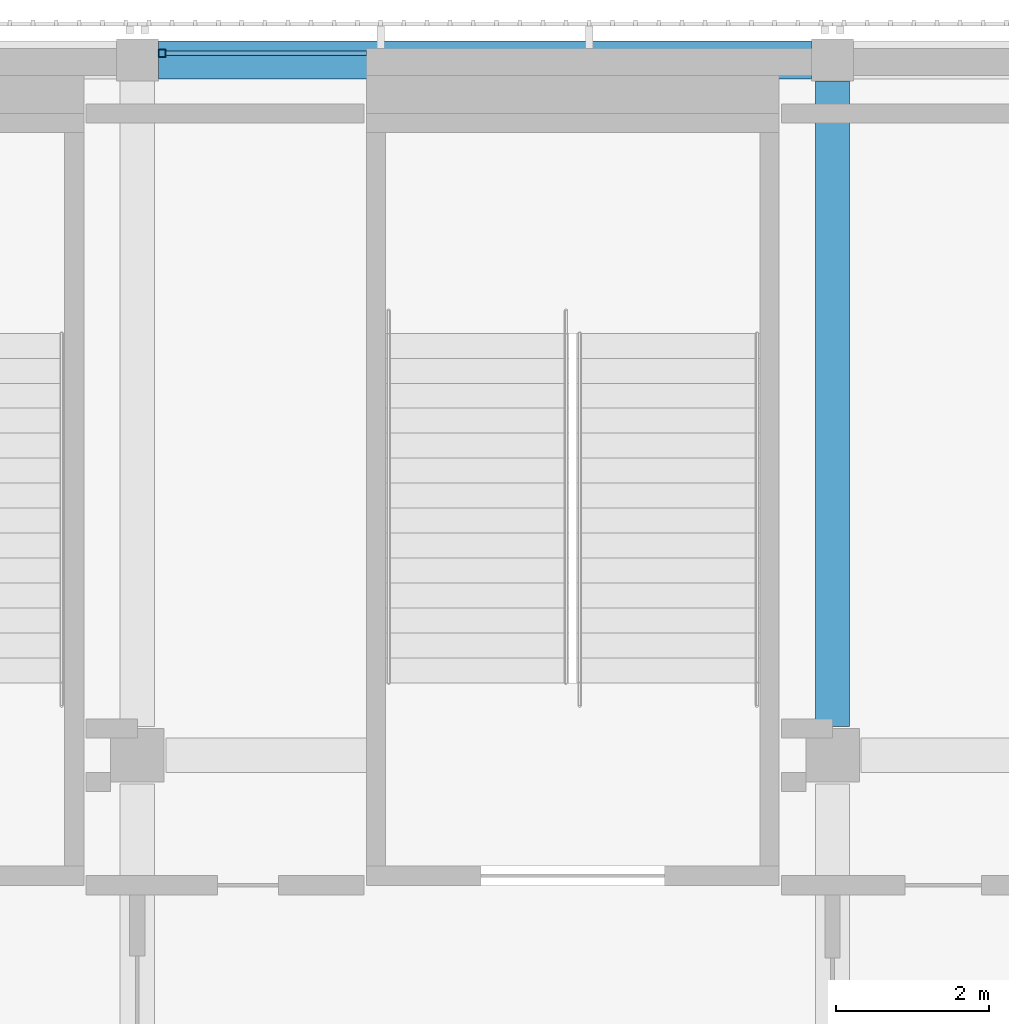
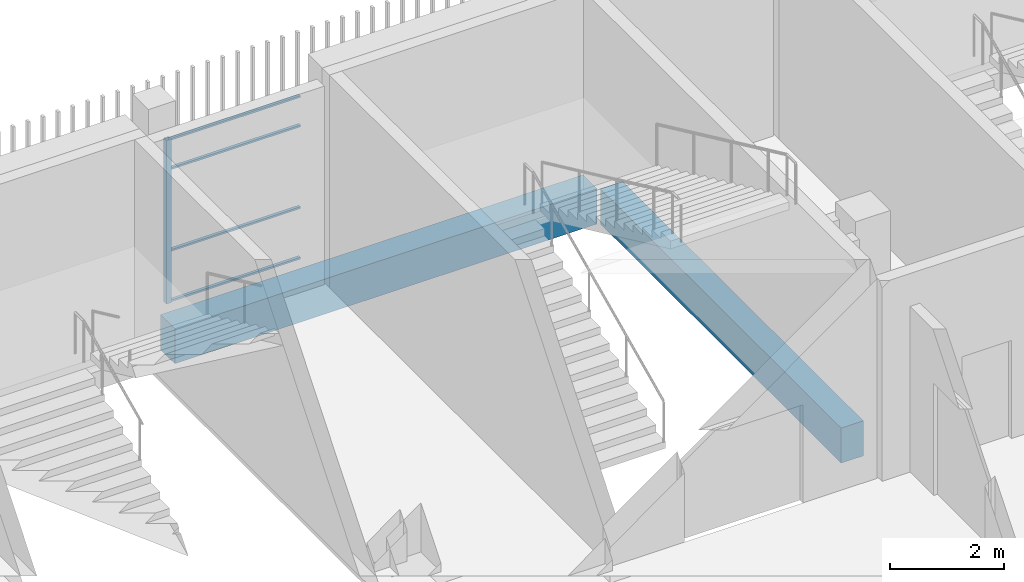
# One storey, part 60 of 126: 5 members, 2 beams, 1 element without a shape of its own.
"""IFC4 building model written with IfcOpenShell, lengths in metres."""

from ifc_helpers import new_model, si_unit, direction, frame, origin, origin_2d, place, context, subcontext, project, spatial, rectangle, hollow_rectangle, extrude, material, layer, layer_set, material_profile, profile_set, type_object, element, aggregate, save


model = new_model("IFC4")

# Units and contexts
model_context = context("Model", 3, precision=1e-05, world=origin(), true_north=direction((0.0, 1.0)))
body_context = subcontext(model_context, "Body", "Model", "MODEL_VIEW")
ifc_project = project(units=[si_unit("LENGTHUNIT", "METRE"), si_unit("AREAUNIT", "SQUARE_METRE"), si_unit("VOLUMEUNIT", "CUBIC_METRE"), si_unit("PLANEANGLEUNIT", "RADIAN"), si_unit("MASSUNIT", "GRAM", prefix="KILO")], contexts=[model_context])

# Site, building, storey
site_placement = place(None, origin())
site = spatial("IfcSite", under=ifc_project, at=site_placement, CompositionType="ELEMENT")
building_placement = place(site_placement, origin())
building = spatial("IfcBuilding", under=site, at=building_placement, Name="Shirokan Park Arena", CompositionType="ELEMENT")
storey_placement = place(building_placement, frame((0.0, 0.0, 6.3701171875)))
storey = spatial("IfcBuildingStorey", under=building, at=storey_placement, Name="L01", CompositionType="ELEMENT", Elevation=6.3701171875)

# Curtain wall, member
ifc_material_1 = material(Name="Steel and glass curtain wall", Category="steel")
ifc_layer = layer(ifc_material_1, 0.1201171875)
ifc_layer_set = layer_set([ifc_layer], Name="Steel and glass curtain wall 120 mm")
curtain_wall_type = type_object("IfcCurtainWallType", Name="Curtain wall corner block side bay 120", PredefinedType="NOTDEFINED", material=ifc_layer_set)
curtain_wall_placement = place(storey_placement, origin())
curtain_wall = element("IfcCurtainWall", 1, at=curtain_wall_placement, inside=storey, type_object=curtain_wall_type, Name="Curtain wall north bay 2 L01", PredefinedType="NOTDEFINED")
ifc_material_2 = material(Name="Steel S355", Category="steel")
ifc_material_profile_1 = material_profile(ifc_material_2, hollow_rectangle(XDim=0.10009765625, YDim=0.10009765625, WallThickness=0.006103515625, at=origin_2d()), Name="RHS 100x100x6")
ifc_profile_set_1 = profile_set([ifc_material_profile_1], Name="Steel S355")
member_type_1 = type_object("IfcMemberType", Name="Mullion RHS 100x100x6", PredefinedType="MULLION", material=ifc_profile_set_1)
member_1_placement = place(storey_placement, frame((127.72509765625, 109.2900390625, 0.0), z_axis=(0.0, 0.0, 1.0), x_axis=(0.0, -1.0, 0.0)))
member_1 = element("IfcMember", 2, at=member_1_placement, type_object=member_type_1, Name="CW3 mullion 2", PredefinedType="MULLION", context=body_context, shape_type="SweptSolid", body=[
    extrude(hollow_rectangle(XDim=0.10009765625, YDim=0.10009765625, WallThickness=0.006103515625, at=origin_2d()), origin(), (0.0, 0.0, 1.0), 3.5),
])

# Beams
ifc_material_3 = material(Name="Concrete C35", Category="concrete")
ifc_material_profile_2 = material_profile(ifc_material_3, rectangle(XDim=0.449951171875, YDim=0.75, at=origin_2d()), Name="450x750")
ifc_profile_set_2 = profile_set([ifc_material_profile_2], Name="Concrete C35")
beam_type_1 = type_object("IfcBeamType", Name="RC girder 450x750", PredefinedType="BEAM", material=ifc_profile_set_2)
beam_1_placement = place(storey_placement, frame((136.5, 100.47509765625, -0.72509765625), z_axis=(0.0, 1.0, 0.0), x_axis=(-1.0, 0.0, 0.0)))
element("IfcBeam", 3, at=beam_1_placement, inside=storey, type_object=beam_type_1, Name="Girder 16M-16N L01", PredefinedType="BEAM", context=body_context, shape_type="SweptSolid", body=[
    extrude(rectangle(XDim=0.449951171875, YDim=0.75, at=origin_2d()), origin(), (0.0, 0.0, 1.0), 8.44970703125),
])
ifc_material_profile_3 = material_profile(ifc_material_3, rectangle(XDim=0.5, YDim=0.75, at=origin_2d()), Name="500x750")
ifc_profile_set_3 = profile_set([ifc_material_profile_3], Name="Concrete C35")
beam_type_2 = type_object("IfcBeamType", Name="RC girder 500x750", PredefinedType="BEAM", material=ifc_profile_set_3)
beam_2_placement = place(storey_placement, frame((127.675048828125, 109.199951171875, -0.72509765625), z_axis=(1.0, 0.0, 0.0), x_axis=(0.0, 1.0, 0.0)))
element("IfcBeam", 4, at=beam_2_placement, inside=storey, type_object=beam_type_2, Name="Girder 15N-16N L01", PredefinedType="BEAM", context=body_context, shape_type="SweptSolid", body=[
    extrude(rectangle(XDim=0.5, YDim=0.75, at=origin_2d()), origin(), (0.0, 0.0, 1.0), 8.5498046875),
])

# Member
ifc_material_profile_4 = material_profile(ifc_material_2, hollow_rectangle(XDim=0.06005859375, YDim=0.0400390625, WallThickness=0.00390625, at=origin_2d()), Name="RHS 60x40x4")
ifc_profile_set_4 = profile_set([ifc_material_profile_4], Name="Steel S355")
member_type_2 = type_object("IfcMemberType", Name="Transom RHS 60x40x4", PredefinedType="MULLION", material=ifc_profile_set_4)
member_2_placement = place(storey_placement, frame((130.39990234375, 109.2900390625, 0.019775390625), z_axis=(-1.0, 0.0, 0.0), x_axis=(0.0, -1.0, 0.0)))
member_2 = element("IfcMember", 5, at=member_2_placement, type_object=member_type_2, Name="CW3 transom 1.1", PredefinedType="MULLION", context=body_context, shape_type="SweptSolid", body=[
    extrude(hollow_rectangle(XDim=0.06005859375, YDim=0.0400390625, WallThickness=0.00390625, at=origin_2d()), origin(), (0.0, 0.0, 1.0), 2.625),
])

member_3_placement = place(storey_placement, frame((130.39990234375, 109.2900390625, 1.099853515625), z_axis=(-1.0, 0.0, 0.0), x_axis=(0.0, -1.0, 0.0)))
member_3 = element("IfcMember", 6, at=member_3_placement, type_object=member_type_2, Name="CW3 transom 1.2", PredefinedType="MULLION", context=body_context, shape_type="SweptSolid", body=[
    extrude(hollow_rectangle(XDim=0.06005859375, YDim=0.0400390625, WallThickness=0.00390625, at=origin_2d()), origin(), (0.0, 0.0, 1.0), 2.625),
])

member_4_placement = place(storey_placement, frame((130.39990234375, 109.2900390625, 2.849853515625), z_axis=(-1.0, 0.0, 0.0), x_axis=(0.0, -1.0, 0.0)))
member_4 = element("IfcMember", 7, at=member_4_placement, type_object=member_type_2, Name="CW3 transom 1.3", PredefinedType="MULLION", context=body_context, shape_type="SweptSolid", body=[
    extrude(hollow_rectangle(XDim=0.06005859375, YDim=0.0400390625, WallThickness=0.00390625, at=origin_2d()), origin(), (0.0, 0.0, 1.0), 2.625),
])

member_5_placement = place(storey_placement, frame((130.39990234375, 109.2900390625, 3.47998046875), z_axis=(-1.0, 0.0, 0.0), x_axis=(0.0, -1.0, 0.0)))
member_5 = element("IfcMember", 8, at=member_5_placement, type_object=member_type_2, Name="CW3 transom 1.4", PredefinedType="MULLION", context=body_context, shape_type="SweptSolid", body=[
    extrude(hollow_rectangle(XDim=0.06005859375, YDim=0.0400390625, WallThickness=0.00390625, at=origin_2d()), origin(), (0.0, 0.0, 1.0), 2.625),
])

aggregate(curtain_wall, [member_1, member_2, member_3, member_4, member_5])

save(model, "model.ifc")
